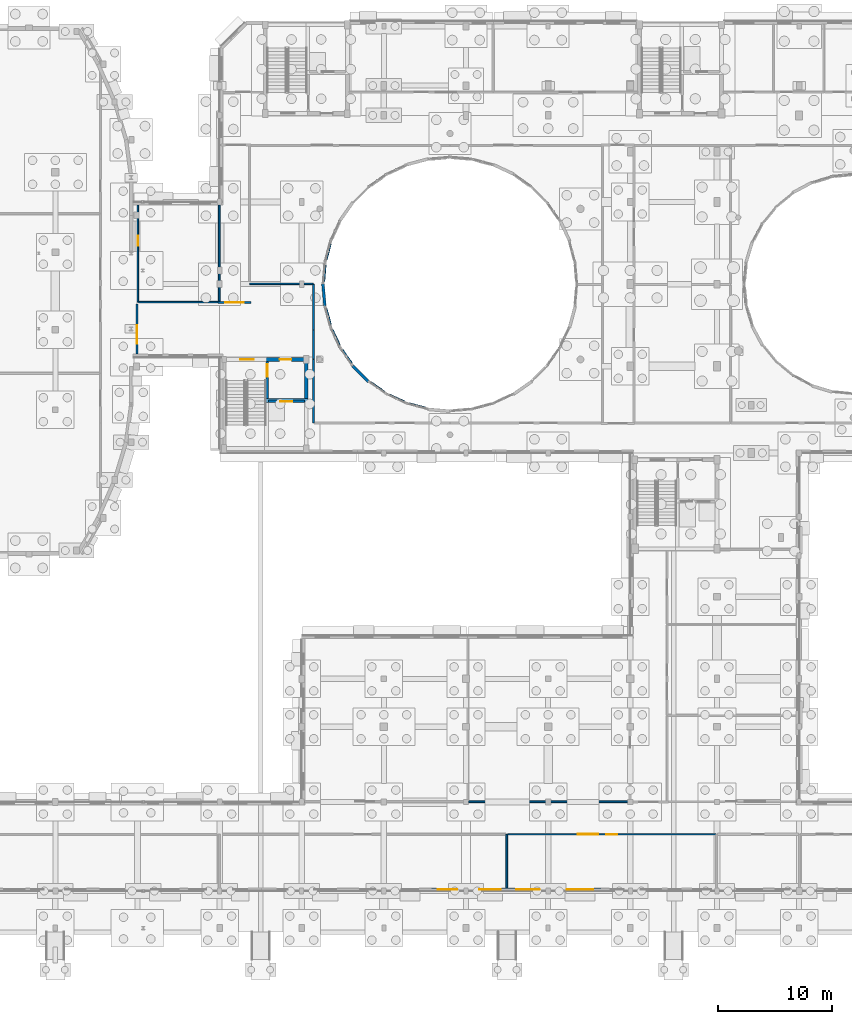
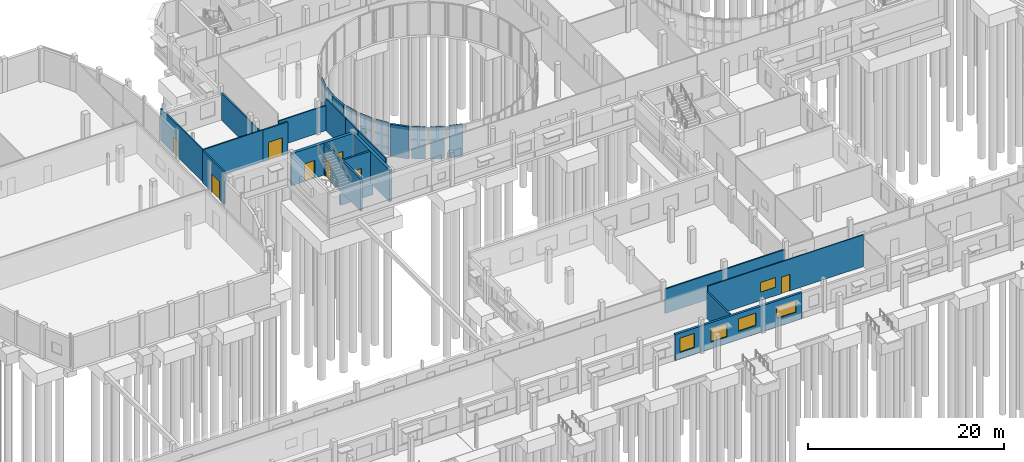
# One storey, part 64 of 93: 28 walls, 8 doors, 5 windows, 13 openings.
"""IFC4 building model written with IfcOpenShell, lengths in metres."""

from ifc_helpers import new_model, si_unit, direction, frame, frame_2d, origin, place, context, subcontext, project, spatial, rectangle, extrude, material, layer, layer_set, type_object, element, fill, save


model = new_model("IFC4")

# Units and contexts
model_context = context("Model", 3, precision=1e-05, world=origin(), true_north=direction((0.0, 1.0)))
body_context = subcontext(model_context, "Body", "Model", "MODEL_VIEW")
ifc_project = project(units=[si_unit("LENGTHUNIT", "METRE"), si_unit("AREAUNIT", "SQUARE_METRE"), si_unit("VOLUMEUNIT", "CUBIC_METRE"), si_unit("PLANEANGLEUNIT", "RADIAN"), si_unit("MASSUNIT", "GRAM", prefix="KILO")], contexts=[model_context])

# Site, building, storey
site_placement = place(None, origin())
site = spatial("IfcSite", under=ifc_project, at=site_placement, CompositionType="ELEMENT")
building_placement = place(site_placement, origin())
building = spatial("IfcBuilding", under=site, at=building_placement, Name="Kelanivale Promenade Academy", CompositionType="ELEMENT")
storey_placement = place(building_placement, origin())
storey = spatial("IfcBuildingStorey", under=building, at=storey_placement, Name="L00", CompositionType="ELEMENT", Elevation=0.0)

# Wall
ifc_material_1 = material(Name="Concrete C40/50", Category="concrete")
ifc_layer_1 = layer(ifc_material_1, 0.330078125)
ifc_layer_set_1 = layer_set([ifc_layer_1], Name="Concrete C40/50")
wall_type_1 = type_object("IfcWallType", Name="CW-S1 Wall 330mm", PredefinedType="SHEAR", material=ifc_layer_set_1)
wall_1_placement = place(storey_placement, frame((47.155029296875, 46.590087890625, -1.550048828125), z_axis=(0.0, 0.0, 1.0), x_axis=(1.0, 0.0, 0.0)))
element("IfcWall", 1, at=wall_1_placement, inside=storey, type_object=wall_type_1, Name="CORE-6 lift pit wall", PredefinedType="SHEAR", context=body_context, shape_type="SweptSolid", body=[
    extrude(rectangle(XDim=3.81005859375, YDim=0.330078125, at=frame_2d((1.905029296875, 0.0))), origin(), (0.0, 0.0, 1.0), 1.300048828125),
])

# Wall, openings, doors
wall_2_placement = place(storey_placement, frame((43.43505859375, 50.199951171875, 0.0), z_axis=(0.0, 0.0, 1.0), x_axis=(1.0, 0.0, 0.0)))
wall_2 = element("IfcWall", 2, at=wall_2_placement, inside=storey, type_object=wall_type_1, Name="CORE-6 RC shear wall N L00", PredefinedType="SHEAR", context=body_context, shape_type="SweptSolid", body=[
    extrude(rectangle(XDim=7.530029296875, YDim=0.330078125, at=frame_2d((3.76513671875, 0.0))), origin(), (0.0, 0.0, 1.0), 3.97998046875),
])
opening_1_placement = place(wall_2_placement, frame((5.014892578125, 0.0, 0.0)))
opening_1 = element("IfcOpeningElement", 3, at=opening_1_placement, cuts=wall_2, Name="Opening FD-CORE-6-LB-L00", PredefinedType="OPENING", context=body_context, shape_type="SweptSolid", body=[
    extrude(rectangle(XDim=1.050048828125, YDim=2.14990234375, at=frame_2d((0.52490234375, 1.074951171875))), frame((0.0, 0.175048828125, 0.0), z_axis=(0.0, -1.0, 0.0), x_axis=(1.0, 0.0, 0.0)), (0.0, 0.0, 1.0), 0.35009765625),
])
opening_2_placement = place(wall_2_placement, frame((1.56494140625, 0.0, 0.0)))
opening_2 = element("IfcOpeningElement", 4, at=opening_2_placement, cuts=wall_2, Name="Opening FD-CORE-6-ST-L00", PredefinedType="OPENING", context=body_context, shape_type="SweptSolid", body=[
    extrude(rectangle(XDim=1.199951171875, YDim=2.199951171875, at=frame_2d((0.60009765625, 1.10009765625))), frame((0.0, 0.175048828125, 0.0), z_axis=(0.0, -1.0, 0.0), x_axis=(1.0, 0.0, 0.0)), (0.0, 0.0, 1.0), 0.35009765625),
])
ifc_material_2 = material(Name="Fire-rated steel-core teak veneer", Category="steel")
door_type_1 = type_object("IfcDoorType", Name="DT-F02 Door 1200x2200", OperationType="NOTDEFINED", PredefinedType="DOOR", material=ifc_material_2)
door_1_placement = place(opening_2_placement, origin())
door_1 = element("IfcDoor", 5, at=door_1_placement, inside=storey, type_object=door_type_1, Name="CORE-6 protected stair fire door L00", OperationType="SINGLE_SWING_RIGHT", OverallHeight=2.199951171875, OverallWidth=1.199951171875, PredefinedType="DOOR", context=body_context, shape_type="SweptSolid", body=[
    extrude(rectangle(XDim=1.199951171875, YDim=2.199951171875, at=frame_2d((0.60009765625, 1.10009765625))), frame((0.0, 0.02490234375, 0.0), z_axis=(0.0, -1.0, 0.0), x_axis=(1.0, 0.0, 0.0)), (0.0, 0.0, 1.0), 0.050048828125),
])
fill(opening_2, door_1)
door_type_2 = type_object("IfcDoorType", Name="DT-F03 Door 1050x2150", OperationType="NOTDEFINED", PredefinedType="DOOR", material=ifc_material_2)
door_2_placement = place(opening_1_placement, origin())
door_2 = element("IfcDoor", 6, at=door_2_placement, inside=storey, type_object=door_type_2, Name="CORE-6 corridor-to-lobby fire door L00", OperationType="SINGLE_SWING_LEFT", OverallHeight=2.14990234375, OverallWidth=1.050048828125, PredefinedType="DOOR", context=body_context, shape_type="SweptSolid", body=[
    extrude(rectangle(XDim=1.050048828125, YDim=2.14990234375, at=frame_2d((0.52490234375, 1.074951171875))), frame((0.0, 0.02490234375, 0.0), z_axis=(0.0, -1.0, 0.0), x_axis=(1.0, 0.0, 0.0)), (0.0, 0.0, 1.0), 0.050048828125),
])
fill(opening_1, door_2)

# Wall
wall_3_placement = place(storey_placement, frame((50.800048828125, 42.56494140625, 0.0), z_axis=(0.0, 0.0, 1.0), x_axis=(0.0, 1.0, 0.0)))
element("IfcWall", 7, at=wall_3_placement, inside=storey, type_object=wall_type_1, Name="CORE-6 RC shear wall E L00", PredefinedType="SHEAR", context=body_context, shape_type="SweptSolid", body=[
    extrude(rectangle(XDim=7.469970703125, YDim=0.330078125, at=frame_2d((3.73486328125, 0.0))), origin(), (0.0, 0.0, 1.0), 3.97998046875),
])

# Wall, opening, door
ifc_layer_2 = layer(ifc_material_1, 0.22509765625)
ifc_layer_set_2 = layer_set([ifc_layer_2], Name="Concrete C40/50")
wall_type_2 = type_object("IfcWallType", Name="CW-S2 Wall 225mm", PredefinedType="SHEAR", material=ifc_layer_set_2)
wall_4_placement = place(storey_placement, frame((47.485107421875, 46.530029296875, 0.0), z_axis=(0.0, 0.0, 1.0), x_axis=(1.0, 0.0, 0.0)))
wall_4 = element("IfcWall", 8, at=wall_4_placement, inside=storey, type_object=wall_type_2, Name="CORE-6 lift shaft front RC wall L00", PredefinedType="SHEAR", context=body_context, shape_type="SweptSolid", body=[
    extrude(rectangle(XDim=3.14990234375, YDim=0.22509765625, at=frame_2d((1.574951171875, 0.0))), origin(), (0.0, 0.0, 1.0), 3.97998046875),
])
opening_3_placement = place(wall_4_placement, frame((1.050048828125, 0.0, 0.0)))
opening_3 = element("IfcOpeningElement", 9, at=opening_3_placement, cuts=wall_4, Name="Opening LD-LF-P4-L00", PredefinedType="OPENING", context=body_context, shape_type="SweptSolid", body=[
    extrude(rectangle(XDim=1.050048828125, YDim=2.199951171875, at=frame_2d((0.52490234375, 1.10009765625))), frame((0.0, 0.12255859375, 0.0), z_axis=(0.0, -1.0, 0.0), x_axis=(1.0, 0.0, 0.0)), (0.0, 0.0, 1.0), 0.2451171875),
])
door_type_3 = type_object("IfcDoorType", Name="LD-PL1 Door 1050x2200", OperationType="NOTDEFINED", PredefinedType="DOOR", material=ifc_material_2)
door_3_placement = place(opening_3_placement, origin())
door_3 = element("IfcDoor", 10, at=door_3_placement, inside=storey, type_object=door_type_3, Name="Passenger lift landing door LD-LF-P4-L00", OperationType="SLIDING_TO_LEFT", OverallHeight=2.199951171875, OverallWidth=1.050048828125, PredefinedType="DOOR", context=body_context, shape_type="SweptSolid", body=[
    extrude(rectangle(XDim=1.050048828125, YDim=2.199951171875, at=frame_2d((0.52490234375, 1.10009765625))), frame((0.0, 0.02490234375, 0.0), z_axis=(0.0, -1.0, 0.0), x_axis=(1.0, 0.0, 0.0)), (0.0, 0.0, 1.0), 0.050048828125),
])
fill(opening_3, door_3)

ifc_layer_3 = layer(ifc_material_1, 0.219970703125)
ifc_layer_set_3 = layer_set([ifc_layer_3], Name="Concrete C40/50")
wall_type_3 = type_object("IfcWallType", Name="CW-S3 Wall 220mm", PredefinedType="SHEAR", material=ifc_layer_set_3)
wall_5_placement = place(storey_placement, frame((47.375, 42.56494140625, 0.0), z_axis=(0.0, 0.0, 1.0), x_axis=(0.0, 1.0, 0.0)))
wall_5 = element("IfcWall", 11, at=wall_5_placement, inside=storey, type_object=wall_type_3, Name="CORE-6 stair-lobby dividing RC wall L00", PredefinedType="SHEAR", context=body_context, shape_type="SweptSolid", body=[
    extrude(rectangle(XDim=7.469970703125, YDim=0.219970703125, at=frame_2d((3.73486328125, 0.0))), origin(), (0.0, 0.0, 1.0), 3.97998046875),
])
opening_4_placement = place(wall_5_placement, frame((6.1201171875, 0.0, 0.0)))
opening_4 = element("IfcOpeningElement", 12, at=opening_4_placement, cuts=wall_5, Name="Opening FD-CORE-6-SL-L00", PredefinedType="OPENING", context=body_context, shape_type="SweptSolid", body=[
    extrude(rectangle(XDim=1.10009765625, YDim=2.14990234375, at=frame_2d((0.550048828125, 1.074951171875))), frame((0.0, 0.1201171875, 0.0), z_axis=(0.0, -1.0, 0.0), x_axis=(1.0, 0.0, 0.0)), (0.0, 0.0, 1.0), 0.239990234375),
])
door_type_4 = type_object("IfcDoorType", Name="DT-F01 Door 1100x2150", OperationType="NOTDEFINED", PredefinedType="DOOR", material=ifc_material_2)
door_4_placement = place(opening_4_placement, origin())
door_4 = element("IfcDoor", 13, at=door_4_placement, inside=storey, type_object=door_type_4, Name="CORE-6 lobby-to-stair fire door L00", OperationType="SINGLE_SWING_RIGHT", OverallHeight=2.14990234375, OverallWidth=1.10009765625, PredefinedType="DOOR", context=body_context, shape_type="SweptSolid", body=[
    extrude(rectangle(XDim=1.10009765625, YDim=2.14990234375, at=frame_2d((0.550048828125, 1.074951171875))), frame((0.0, 0.02490234375, 0.0), z_axis=(0.0, -1.0, 0.0), x_axis=(1.0, 0.0, 0.0)), (0.0, 0.0, 1.0), 0.050048828125),
])
fill(opening_4, door_4)

# Wall, openings, windows
ifc_material_3 = material(Name="Insulated granite-faced masonry wall 260 mm", Category="masonry")
ifc_layer_4 = layer(ifc_material_3, 0.260009765625)
ifc_layer_set_4 = layer_set([ifc_layer_4], Name="Insulated granite-faced masonry wall 260 mm")
wall_type_4 = type_object("IfcWallType", Name="EW-03 Wall 260mm", PredefinedType="SOLIDWALL", material=ifc_layer_set_4)
wall_6_placement = place(storey_placement, frame((61.760986328125, 3.739990234375, 0.0), z_axis=(0.0, 0.0, 1.0), x_axis=(1.0, 0.0, 0.0)))
wall_6 = element("IfcWall", 14, at=wall_6_placement, inside=storey, type_object=wall_type_4, Name="L00 exterior facade wall EW-L00-ORT-0336", PredefinedType="SOLIDWALL", context=body_context, shape_type="SweptSolid", body=[
    extrude(rectangle(XDim=14.89306640625, YDim=0.260009765625, at=frame_2d((7.446533203125, 0.0))), origin(), (0.0, 0.0, 1.0), 3.2548828125),
])
opening_5_placement = place(wall_6_placement, frame((0.56201171875, 0.0, 0.85009765625)))
opening_5 = element("IfcOpeningElement", 15, at=opening_5_placement, cuts=wall_6, Name="Opening WT-25", PredefinedType="OPENING", context=body_context, shape_type="SweptSolid", body=[
    extrude(rectangle(XDim=1.699951171875, YDim=1.75, at=frame_2d((0.85009765625, 0.875))), frame((0.0, 0.14013671875, 0.0), z_axis=(0.0, -1.0, 0.0), x_axis=(1.0, 0.0, 0.0)), (0.0, 0.0, 1.0), 0.280029296875),
])
opening_6_placement = place(wall_6_placement, frame((4.18505859375, 0.0, 0.85009765625)))
opening_6 = element("IfcOpeningElement", 16, at=opening_6_placement, cuts=wall_6, Name="Opening WT-26", PredefinedType="OPENING", context=body_context, shape_type="SweptSolid", body=[
    extrude(rectangle(XDim=1.89990234375, YDim=1.64990234375, at=frame_2d((0.949951171875, 0.824951171875))), frame((0.0, 0.14013671875, 0.0), z_axis=(0.0, -1.0, 0.0), x_axis=(1.0, 0.0, 0.0)), (0.0, 0.0, 1.0), 0.280029296875),
])
opening_7_placement = place(wall_6_placement, frame((7.43310546875, 0.0, 1.050048828125)))
opening_7 = element("IfcOpeningElement", 17, at=opening_7_placement, cuts=wall_6, Name="Opening WT-27", PredefinedType="OPENING", context=body_context, shape_type="SweptSolid", body=[
    extrude(rectangle(XDim=2.050048828125, YDim=1.550048828125, at=frame_2d((1.02490234375, 0.77490234375))), frame((0.0, 0.14013671875, 0.0), z_axis=(0.0, -1.0, 0.0), x_axis=(1.0, 0.0, 0.0)), (0.0, 0.0, 1.0), 0.280029296875),
])
opening_8_placement = place(wall_6_placement, frame((11.881103515625, 0.0, 1.050048828125)))
opening_8 = element("IfcOpeningElement", 18, at=opening_8_placement, cuts=wall_6, Name="Opening WT-28", PredefinedType="OPENING", context=body_context, shape_type="SweptSolid", body=[
    extrude(rectangle(XDim=2.300048828125, YDim=1.449951171875, at=frame_2d((1.14990234375, 0.72509765625))), frame((0.0, 0.14013671875, 0.0), z_axis=(0.0, -1.0, 0.0), x_axis=(1.0, 0.0, 0.0)), (0.0, 0.0, 1.0), 0.280029296875),
])
ifc_material_4 = material(Name="Bronze anodised aluminium frame with low-E laminated glass", Category="aluminium")
window_type_1 = type_object("IfcWindowType", Name="WT-25 Window 1700x1750", PartitioningType="SINGLE_PANEL", PredefinedType="WINDOW", material=ifc_material_4)
window_1_placement = place(opening_5_placement, origin())
window_1 = element("IfcWindow", 19, at=window_1_placement, inside=storey, type_object=window_type_1, Name="Window WT-25", OverallHeight=1.75, OverallWidth=1.699951171875, PartitioningType="SINGLE_PANEL", PredefinedType="WINDOW", context=body_context, shape_type="SweptSolid", body=[
    extrude(rectangle(XDim=1.699951171875, YDim=1.75, at=frame_2d((0.85009765625, 0.875))), frame((0.0, 0.030029296875, 0.0), z_axis=(0.0, -1.0, 0.0), x_axis=(1.0, 0.0, 0.0)), (0.0, 0.0, 1.0), 0.06005859375),
])
fill(opening_5, window_1)
window_type_2 = type_object("IfcWindowType", Name="WT-26 Window 1900x1650", PartitioningType="SINGLE_PANEL", PredefinedType="WINDOW", material=ifc_material_4)
window_2_placement = place(opening_6_placement, origin())
window_2 = element("IfcWindow", 20, at=window_2_placement, inside=storey, type_object=window_type_2, Name="Window WT-26", OverallHeight=1.64990234375, OverallWidth=1.89990234375, PartitioningType="SINGLE_PANEL", PredefinedType="WINDOW", context=body_context, shape_type="SweptSolid", body=[
    extrude(rectangle(XDim=1.89990234375, YDim=1.64990234375, at=frame_2d((0.949951171875, 0.824951171875))), frame((0.0, 0.030029296875, 0.0), z_axis=(0.0, -1.0, 0.0), x_axis=(1.0, 0.0, 0.0)), (0.0, 0.0, 1.0), 0.06005859375),
])
fill(opening_6, window_2)
window_type_3 = type_object("IfcWindowType", Name="WT-27 Window 2050x1550", PartitioningType="SINGLE_PANEL", PredefinedType="WINDOW", material=ifc_material_4)
window_3_placement = place(opening_7_placement, origin())
window_3 = element("IfcWindow", 21, at=window_3_placement, inside=storey, type_object=window_type_3, Name="Window WT-27", OverallHeight=1.550048828125, OverallWidth=2.050048828125, PartitioningType="SINGLE_PANEL", PredefinedType="WINDOW", context=body_context, shape_type="SweptSolid", body=[
    extrude(rectangle(XDim=2.050048828125, YDim=1.550048828125, at=frame_2d((1.02490234375, 0.77490234375))), frame((0.0, 0.030029296875, 0.0), z_axis=(0.0, -1.0, 0.0), x_axis=(1.0, 0.0, 0.0)), (0.0, 0.0, 1.0), 0.06005859375),
])
fill(opening_7, window_3)
window_type_4 = type_object("IfcWindowType", Name="WT-28 Window 2300x1450", PartitioningType="SINGLE_PANEL", PredefinedType="WINDOW", material=ifc_material_4)
window_4_placement = place(opening_8_placement, origin())
window_4 = element("IfcWindow", 22, at=window_4_placement, inside=storey, type_object=window_type_4, Name="Window WT-28", OverallHeight=1.449951171875, OverallWidth=2.300048828125, PartitioningType="SINGLE_PANEL", PredefinedType="WINDOW", context=body_context, shape_type="SweptSolid", body=[
    extrude(rectangle(XDim=2.300048828125, YDim=1.449951171875, at=frame_2d((1.14990234375, 0.72509765625))), frame((0.0, 0.030029296875, 0.0), z_axis=(0.0, -1.0, 0.0), x_axis=(1.0, 0.0, 0.0)), (0.0, 0.0, 1.0), 0.06005859375),
])
fill(opening_8, window_4)

# Walls
ifc_material_5 = material(Name="Insulated courtyard stucco masonry wall 240 mm", Category="masonry")
ifc_layer_5 = layer(ifc_material_5, 0.239990234375)
ifc_layer_set_5 = layer_set([ifc_layer_5], Name="Insulated courtyard stucco masonry wall 240 mm")
wall_type_5 = type_object("IfcWallType", Name="EW-04 Wall 240mm", PredefinedType="SOLIDWALL", material=ifc_layer_set_5)
wall_7_placement = place(storey_placement, frame((52.259033203125, 56.81298828125, 0.0), z_axis=(0.0, 0.0, 1.0), x_axis=(0.086865228015, -0.996220072154, 0.0)))
element("IfcWall", 23, at=wall_7_placement, inside=storey, type_object=wall_type_5, Name="L00 round courtyard stucco wall", PredefinedType="SOLIDWALL", context=body_context, shape_type="SweptSolid", body=[
    extrude(rectangle(XDim=1.96728515625, YDim=0.239990234375, at=frame_2d((0.983642578125, 0.0))), origin(), (0.0, 0.0, 1.0), 3.97998046875),
])
wall_8_placement = place(storey_placement, frame((54.85693359375, 49.64794921875, 0.0), z_axis=(0.0, 0.0, 1.0), x_axis=(0.707168832591, -0.707044724337, 0.0)))
element("IfcWall", 24, at=wall_8_placement, inside=storey, type_object=wall_type_5, Name="L00 round courtyard stucco wall", PredefinedType="SOLIDWALL", context=body_context, shape_type="SweptSolid", body=[
    extrude(rectangle(XDim=1.967041015625, YDim=0.239990234375, at=frame_2d((0.9833984375, 0.0))), origin(), (0.0, 0.0, 1.0), 3.97998046875),
])

# Wall, opening, door
ifc_material_6 = material(Name="Autoclaved masonry blockwork 180 mm", Category="masonry")
ifc_layer_6 = layer(ifc_material_6, 0.179931640625)
ifc_layer_set_6 = layer_set([ifc_layer_6], Name="Autoclaved masonry blockwork 180 mm")
wall_type_6 = type_object("IfcWallType", Name="IW-02 Wall 180mm", PredefinedType="PARTITIONING", material=ifc_layer_set_6)
wall_9_placement = place(storey_placement, frame((35.9599609375, 50.677978515625, 0.0), z_axis=(0.0, 0.0, 1.0), x_axis=(0.0, 1.0, 0.0)))
wall_9 = element("IfcWall", 25, at=wall_9_placement, inside=storey, type_object=wall_type_6, Name="L00 movement-joint corridor fire wall W", PredefinedType="PARTITIONING", context=body_context, shape_type="SweptSolid", body=[
    extrude(rectangle(XDim=4.382080078125, YDim=0.179931640625, at=frame_2d((2.19091796875, 0.0))), origin(), (0.0, 0.0, 1.0), 3.97998046875),
])
opening_9_placement = place(wall_9_placement, frame((0.89990234375, 0.0, 0.0)))
opening_9 = element("IfcOpeningElement", 26, at=opening_9_placement, cuts=wall_9, Name="Opening FD-L00-MJ-W", PredefinedType="OPENING", context=body_context, shape_type="SweptSolid", body=[
    extrude(rectangle(XDim=1.60009765625, YDim=2.25, at=frame_2d((0.800048828125, 1.125))), frame((0.0, 0.10009765625, 0.0), z_axis=(0.0, -1.0, 0.0), x_axis=(1.0, 0.0, 0.0)), (0.0, 0.0, 1.0), 0.199951171875),
])
door_type_5 = type_object("IfcDoorType", Name="DT-F09 Door 1600x2250", OperationType="NOTDEFINED", PredefinedType="DOOR", material=ifc_material_2)
door_5_placement = place(opening_9_placement, origin())
door_5 = element("IfcDoor", 27, at=door_5_placement, inside=storey, type_object=door_type_5, Name="L00 movement-joint corridor double fire door W", OperationType="DOUBLE_DOOR_SINGLE_SWING", OverallHeight=2.25, OverallWidth=1.60009765625, PredefinedType="DOOR", context=body_context, shape_type="SweptSolid", body=[
    extrude(rectangle(XDim=1.60009765625, YDim=2.25, at=frame_2d((0.800048828125, 1.125))), frame((0.0, 0.02490234375, 0.0), z_axis=(0.0, -1.0, 0.0), x_axis=(1.0, 0.0, 0.0)), (0.0, 0.0, 1.0), 0.050048828125),
])
fill(opening_9, door_5)

wall_10_placement = place(storey_placement, frame((43.050048828125, 55.199951171875, 0.0), z_axis=(0.0, 0.0, 1.0), x_axis=(1.0, 0.0, 0.0)))
wall_10 = element("IfcWall", 28, at=wall_10_placement, inside=storey, type_object=wall_type_6, Name="L00 cross-corridor fire wall", PredefinedType="PARTITIONING", context=body_context, shape_type="SweptSolid", body=[
    extrude(rectangle(XDim=2.89697265625, YDim=0.179931640625, at=frame_2d((1.448486328125, 0.0))), origin(), (0.0, 0.0, 1.0), 3.97998046875),
])
opening_10_placement = place(wall_10_placement, frame((0.64892578125, 0.0, 0.0)))
opening_10 = element("IfcOpeningElement", 29, at=opening_10_placement, cuts=wall_10, Name="Opening FD-L00-CC-001", PredefinedType="OPENING", context=body_context, shape_type="SweptSolid", body=[
    extrude(rectangle(XDim=1.60009765625, YDim=2.25, at=frame_2d((0.800048828125, 1.125))), frame((0.0, 0.10009765625, 0.0), z_axis=(0.0, -1.0, 0.0), x_axis=(1.0, 0.0, 0.0)), (0.0, 0.0, 1.0), 0.199951171875),
])
door_6_placement = place(opening_10_placement, origin())
door_6 = element("IfcDoor", 30, at=door_6_placement, inside=storey, type_object=door_type_5, Name="L00 cross-corridor fire door FD-L00-CC-001", OperationType="DOUBLE_DOOR_SINGLE_SWING", OverallHeight=2.25, OverallWidth=1.60009765625, PredefinedType="DOOR", context=body_context, shape_type="SweptSolid", body=[
    extrude(rectangle(XDim=1.60009765625, YDim=2.25, at=frame_2d((0.800048828125, 1.125))), frame((0.0, 0.02490234375, 0.0), z_axis=(0.0, -1.0, 0.0), x_axis=(1.0, 0.0, 0.0)), (0.0, 0.0, 1.0), 0.050048828125),
])
fill(opening_10, door_6)

# Walls
ifc_material_7 = material(Name="Acoustic gypsum-lined masonry partition 150 mm", Category="masonry")
ifc_layer_7 = layer(ifc_material_7, 0.14990234375)
ifc_layer_set_7 = layer_set([ifc_layer_7], Name="Acoustic gypsum-lined masonry partition 150 mm")
wall_type_7 = type_object("IfcWallType", Name="IW-03 Wall 150mm", PredefinedType="PARTITIONING", material=ifc_layer_set_7)
wall_11_placement = place(storey_placement, frame((68.3701171875, 3.867919921875, 0.0), z_axis=(0.0, 0.0, 1.0), x_axis=(0.0, 1.0, 0.0)))
element("IfcWall", 31, at=wall_11_placement, inside=storey, type_object=wall_type_7, Name="L00 partition Commercial Kitchen", PredefinedType="PARTITIONING", context=body_context, shape_type="SweptSolid", body=[
    extrude(rectangle(XDim=4.7021484375, YDim=0.14990234375, at=frame_2d((2.35107421875, 0.0))), origin(), (0.0, 0.0, 1.0), 3.35498046875),
])
wall_12_placement = place(storey_placement, frame((65.030029296875, 11.429931640625, 0.0), z_axis=(0.0, 0.0, 1.0), x_axis=(1.0, 0.0, 0.0)))
element("IfcWall", 32, at=wall_12_placement, inside=storey, type_object=wall_type_7, Name="L00 partition Dietary Cold Store", PredefinedType="PARTITIONING", context=body_context, shape_type="SweptSolid", body=[
    extrude(rectangle(XDim=14.139892578125, YDim=0.14990234375, at=frame_2d((7.06982421875, 0.0))), origin(), (0.0, 0.0, 1.0), 3.054931640625),
])

# Wall, opening, door
ifc_material_8 = material(Name="Acoustic double-stud gypsum board partition 140 mm", Category="masonry")
ifc_layer_8 = layer(ifc_material_8, 0.139892578125)
ifc_layer_set_8 = layer_set([ifc_layer_8], Name="Acoustic double-stud gypsum board partition 140 mm")
wall_type_8 = type_object("IfcWallType", Name="IW-04 Wall 140mm", PredefinedType="PARTITIONING", material=ifc_layer_set_8)
wall_13_placement = place(storey_placement, frame((36.030029296875, 63.721923828125, 0.0), z_axis=(0.0, 0.0, 1.0), x_axis=(0.0, -1.0, 0.0)))
wall_13 = element("IfcWall", 33, at=wall_13_placement, inside=storey, type_object=wall_type_8, Name="L00 partition Sports Equipment Store", PredefinedType="PARTITIONING", context=body_context, shape_type="SweptSolid", body=[
    extrude(rectangle(XDim=8.491943359375, YDim=0.139892578125, at=frame_2d((4.24609375, 0.0))), origin(), (0.0, 0.0, 1.0), 3.97509765625),
])
opening_11_placement = place(wall_13_placement, frame((2.656982421875, 0.0, 0.0)))
opening_11 = element("IfcOpeningElement", 34, at=opening_11_placement, cuts=wall_13, Name="Opening ID-L00-016", PredefinedType="OPENING", context=body_context, shape_type="SweptSolid", body=[
    extrude(rectangle(XDim=0.89990234375, YDim=2.02001953125, at=frame_2d((0.449951171875, 1.010009765625))), frame((0.0, 0.080078125, 0.0), z_axis=(0.0, -1.0, 0.0), x_axis=(1.0, 0.0, 0.0)), (0.0, 0.0, 1.0), 0.159912109375),
])
ifc_material_9 = material(Name="Solid-core tropical teak timber", Category="wood")
door_type_6 = type_object("IfcDoorType", Name="DT-I08 Door 900x2020", OperationType="NOTDEFINED", PredefinedType="DOOR", material=ifc_material_9)
door_7_placement = place(opening_11_placement, origin())
door_7 = element("IfcDoor", 35, at=door_7_placement, inside=storey, type_object=door_type_6, Name="Sports Equipment Store door ID-L00-016", OperationType="SINGLE_SWING_LEFT", OverallHeight=2.02001953125, OverallWidth=0.89990234375, PredefinedType="DOOR", context=body_context, shape_type="SweptSolid", body=[
    extrude(rectangle(XDim=0.89990234375, YDim=2.02001953125, at=frame_2d((0.449951171875, 1.010009765625))), frame((0.0, 0.02490234375, 0.0), z_axis=(0.0, -1.0, 0.0), x_axis=(1.0, 0.0, 0.0)), (0.0, 0.0, 1.0), 0.050048828125),
])
fill(opening_11, door_7)

# Walls
wall_14_placement = place(storey_placement, frame((36.097900390625, 55.22998046875, 0.0), z_axis=(0.0, 0.0, 1.0), x_axis=(1.0, 0.0, 0.0)))
element("IfcWall", 36, at=wall_14_placement, inside=storey, type_object=wall_type_8, Name="L00 partition Sports Equipment Store", PredefinedType="PARTITIONING", context=body_context, shape_type="SweptSolid", body=[
    extrude(rectangle(XDim=7.072021484375, YDim=0.139892578125, at=frame_2d((3.5361328125, 0.0))), origin(), (0.0, 0.0, 1.0), 3.97509765625),
])
wall_15_placement = place(storey_placement, frame((43.169921875, 55.298095703125, 0.0), z_axis=(0.0, 0.0, 1.0), x_axis=(0.0, 1.0, 0.0)))
element("IfcWall", 37, at=wall_15_placement, inside=storey, type_object=wall_type_8, Name="L00 partition Sports Equipment Store", PredefinedType="PARTITIONING", context=body_context, shape_type="SweptSolid", body=[
    extrude(rectangle(XDim=8.423828125, YDim=0.139892578125, at=frame_2d((4.2119140625, 0.0))), origin(), (0.0, 0.0, 1.0), 3.375),
])
wall_16_placement = place(storey_placement, frame((61.22802734375, 45.965087890625, 0.0), z_axis=(0.0, 0.0, 1.0), x_axis=(-0.966013611766, 0.258491202719, 0.0)))
element("IfcWall", 38, at=wall_16_placement, inside=storey, type_object=wall_type_8, Name="L00 partition Junior Classroom West A", PredefinedType="PARTITIONING", context=body_context, shape_type="SweptSolid", body=[
    extrude(rectangle(XDim=1.412109375, YDim=0.139892578125, at=frame_2d((0.7060546875, 0.0))), origin(), (0.0, 0.0, 1.0), 3.97509765625),
])
wall_17_placement = place(storey_placement, frame((59.37890625, 46.506103515625, 0.0), z_axis=(0.0, 0.0, 1.0), x_axis=(-0.906002021568, 0.423273359561, 0.0)))
element("IfcWall", 39, at=wall_17_placement, inside=storey, type_object=wall_type_8, Name="L00 partition Junior Classroom West A", PredefinedType="PARTITIONING", context=body_context, shape_type="SweptSolid", body=[
    extrude(rectangle(XDim=1.41259765625, YDim=0.139892578125, at=frame_2d((0.706298828125, 0.0))), origin(), (0.0, 0.0, 1.0), 3.97509765625),
])
for number, where, z_axis, x_axis, name in (
    (40, (57.653076171875, 47.361083984375, 0.0), (0.0, 0.0, 1.0), (-0.819077743108, 0.57368253481, 0.0), "L00 partition Junior Classroom West A"),
    (41, (54.77197265625, 49.89501953125, 0.0), (0.0, 0.0, 1.0), (-0.57368253481, 0.819077743108, 0.0), "L00 partition Junior Classroom West A"),
):
    element("IfcWall", number, at=place(storey_placement, frame(where, z_axis=z_axis, x_axis=x_axis)), inside=storey, type_object=wall_type_8, Name=name, PredefinedType="PARTITIONING", context=body_context, shape_type="SweptSolid", body=[
        extrude(rectangle(XDim=1.413818359375, YDim=0.139892578125, at=frame_2d((0.70703125, 0.0))), origin(), (0.0, 0.0, 1.0), 3.97509765625),
    ])
wall_18_placement = place(storey_placement, frame((53.7041015625, 51.4990234375, 0.0), z_axis=(0.0, 0.0, 1.0), x_axis=(-0.423348930736, 0.905966711775, 0.0)))
element("IfcWall", 42, at=wall_18_placement, inside=storey, type_object=wall_type_8, Name="L00 partition Junior Classroom West A", PredefinedType="PARTITIONING", context=body_context, shape_type="SweptSolid", body=[
    extrude(rectangle(XDim=1.412841796875, YDim=0.139892578125, at=frame_2d((0.70654296875, 0.0))), origin(), (0.0, 0.0, 1.0), 3.97509765625),
])
wall_19_placement = place(storey_placement, frame((52.929931640625, 53.263916015625, 0.0), z_axis=(0.0, 0.0, 1.0), x_axis=(-0.258491202719, 0.966013611766, 0.0)))
element("IfcWall", 43, at=wall_19_placement, inside=storey, type_object=wall_type_8, Name="L00 partition Junior Classroom West A", PredefinedType="PARTITIONING", context=body_context, shape_type="SweptSolid", body=[
    extrude(rectangle(XDim=1.412109375, YDim=0.139892578125, at=frame_2d((0.7060546875, 0.0))), origin(), (0.0, 0.0, 1.0), 3.97509765625),
])
wall_20_placement = place(storey_placement, frame((51.429931640625, 56.77001953125, 0.0), z_axis=(0.0, 0.0, 1.0), x_axis=(0.0, -1.0, 0.0)))
element("IfcWall", 44, at=wall_20_placement, inside=storey, type_object=wall_type_8, Name="L00 partition Junior Classroom West A", PredefinedType="PARTITIONING", context=body_context, shape_type="SweptSolid", body=[
    extrude(rectangle(XDim=4.0, YDim=0.139892578125, at=frame_2d((2.0, 0.0))), origin(), (0.0, 0.0, 1.0), 3.97509765625),
])
wall_21_placement = place(storey_placement, frame((51.429931640625, 52.77001953125, 0.0), z_axis=(0.0, 0.0, 1.0), x_axis=(0.0, -1.0, 0.0)))
element("IfcWall", 45, at=wall_21_placement, inside=storey, type_object=wall_type_8, Name="L00 partition Junior Classroom West A", PredefinedType="PARTITIONING", context=body_context, shape_type="SweptSolid", body=[
    extrude(rectangle(XDim=2.5400390625, YDim=0.139892578125, at=frame_2d((1.27001953125, 0.0))), origin(), (0.0, 0.0, 1.0), 3.97509765625),
])
wall_22_placement = place(storey_placement, frame((51.429931640625, 50.22998046875, 0.0), z_axis=(0.0, 0.0, 1.0), x_axis=(0.0, -1.0, 0.0)))
element("IfcWall", 46, at=wall_22_placement, inside=storey, type_object=wall_type_8, Name="L00 partition Junior Classroom West A", PredefinedType="PARTITIONING", context=body_context, shape_type="SweptSolid", body=[
    extrude(rectangle(XDim=5.60009765625, YDim=0.139892578125, at=frame_2d((2.800048828125, 0.0))), origin(), (0.0, 0.0, 1.0), 3.97509765625),
])
wall_23_placement = place(storey_placement, frame((45.830078125, 56.830078125, 0.0), z_axis=(0.0, 0.0, 1.0), x_axis=(1.0, 0.0, 0.0)))
element("IfcWall", 47, at=wall_23_placement, inside=storey, type_object=wall_type_8, Name="L00 partition Junior Classroom West B", PredefinedType="PARTITIONING", context=body_context, shape_type="SweptSolid", body=[
    extrude(rectangle(XDim=5.599853515625, YDim=0.139892578125, at=frame_2d((2.7998046875, 0.0))), origin(), (0.0, 0.0, 1.0), 3.125),
])
wall_24_placement = place(storey_placement, frame((52.35400390625, 57.076904296875, 0.0), z_axis=(0.0, 0.0, 1.0), x_axis=(0.086901789347, 0.996216883519, 0.0)))
element("IfcWall", 48, at=wall_24_placement, inside=storey, type_object=wall_type_8, Name="L00 partition Junior Classroom West B", PredefinedType="PARTITIONING", context=body_context, shape_type="SweptSolid", body=[
    extrude(rectangle(XDim=1.3935546875, YDim=0.139892578125, at=frame_2d((0.69677734375, 0.0))), origin(), (0.0, 0.0, 1.0), 3.97509765625),
])
wall_25_placement = place(storey_placement, frame((52.56494140625, 58.971923828125, 0.0), z_axis=(0.0, 0.0, 1.0), x_axis=(0.258491202719, 0.966013611766, 0.0)))
element("IfcWall", 49, at=wall_25_placement, inside=storey, type_object=wall_type_8, Name="L00 partition Junior Classroom West B", PredefinedType="PARTITIONING", context=body_context, shape_type="SweptSolid", body=[
    extrude(rectangle(XDim=1.412109375, YDim=0.139892578125, at=frame_2d((0.7060546875, 0.0))), origin(), (0.0, 0.0, 1.0), 3.97509765625),
])

# Wall, openings, door, window
ifc_material_10 = material(Name="Lightweight gypsum stud partition 115 mm", Category="masonry")
ifc_layer_9 = layer(ifc_material_10, 0.114990234375)
ifc_layer_set_9 = layer_set([ifc_layer_9], Name="Lightweight gypsum stud partition 115 mm")
wall_type_9 = type_object("IfcWallType", Name="IW-06 Wall 115mm", PredefinedType="PARTITIONING", material=ifc_layer_set_9)
wall_26_placement = place(storey_placement, frame((86.714111328125, 8.570068359375, 0.0), z_axis=(0.0, 0.0, 1.0), x_axis=(-1.0, 0.0, 0.0)))
wall_26 = element("IfcWall", 50, at=wall_26_placement, inside=storey, type_object=wall_type_9, Name="L00 partition Main Entrance Reception", PredefinedType="PARTITIONING", context=body_context, shape_type="SweptSolid", body=[
    extrude(rectangle(XDim=18.27099609375, YDim=0.114990234375, at=frame_2d((9.135498046875, 0.0))), origin(), (0.0, 0.0, 1.0), 3.955078125),
])
opening_12_placement = place(wall_26_placement, frame((8.660888671875, 0.0, 0.0)))
opening_12 = element("IfcOpeningElement", 51, at=opening_12_placement, cuts=wall_26, Name="Opening ID-L00-024", PredefinedType="OPENING", context=body_context, shape_type="SweptSolid", body=[
    extrude(rectangle(XDim=0.949951171875, YDim=2.050048828125, at=frame_2d((0.47509765625, 1.02490234375))), frame((0.0, 0.0673828125, 0.0), z_axis=(0.0, -1.0, 0.0), x_axis=(1.0, 0.0, 0.0)), (0.0, 0.0, 1.0), 0.135009765625),
])
opening_13_placement = place(wall_26_placement, frame((10.31103515625, 0.0, 1.050048828125)))
opening_13 = element("IfcOpeningElement", 52, at=opening_13_placement, cuts=wall_26, Name="Opening WT-I02", PredefinedType="OPENING", context=body_context, shape_type="SweptSolid", body=[
    extrude(rectangle(XDim=1.800048828125, YDim=1.199951171875, at=frame_2d((0.89990234375, 0.60009765625))), frame((0.0, 0.0673828125, 0.0), z_axis=(0.0, -1.0, 0.0), x_axis=(1.0, 0.0, 0.0)), (0.0, 0.0, 1.0), 0.135009765625),
])
door_type_7 = type_object("IfcDoorType", Name="DT-I07 Door 950x2050", OperationType="NOTDEFINED", PredefinedType="DOOR", material=ifc_material_9)
door_8_placement = place(opening_12_placement, origin())
door_8 = element("IfcDoor", 53, at=door_8_placement, inside=storey, type_object=door_type_7, Name="Main Entrance Reception door ID-L00-024", OperationType="SINGLE_SWING_LEFT", OverallHeight=2.050048828125, OverallWidth=0.949951171875, PredefinedType="DOOR", context=body_context, shape_type="SweptSolid", body=[
    extrude(rectangle(XDim=0.949951171875, YDim=2.050048828125, at=frame_2d((0.47509765625, 1.02490234375))), frame((0.0, 0.02490234375, 0.0), z_axis=(0.0, -1.0, 0.0), x_axis=(1.0, 0.0, 0.0)), (0.0, 0.0, 1.0), 0.050048828125),
])
fill(opening_12, door_8)
window_type_5 = type_object("IfcWindowType", Name="WT-I02 Window 1800x1200", PartitioningType="SINGLE_PANEL", PredefinedType="WINDOW", material=ifc_material_4)
window_5_placement = place(opening_13_placement, origin())
window_5 = element("IfcWindow", 54, at=window_5_placement, inside=storey, type_object=window_type_5, Name="Interior observation window WT-I02", OverallHeight=1.199951171875, OverallWidth=1.800048828125, PartitioningType="SINGLE_PANEL", PredefinedType="WINDOW", context=body_context, shape_type="SweptSolid", body=[
    extrude(rectangle(XDim=1.800048828125, YDim=1.199951171875, at=frame_2d((0.89990234375, 0.60009765625))), frame((0.0, 0.030029296875, 0.0), z_axis=(0.0, -1.0, 0.0), x_axis=(1.0, 0.0, 0.0)), (0.0, 0.0, 1.0), 0.06005859375),
])
fill(opening_13, window_5)

save(model, "model.ifc")
